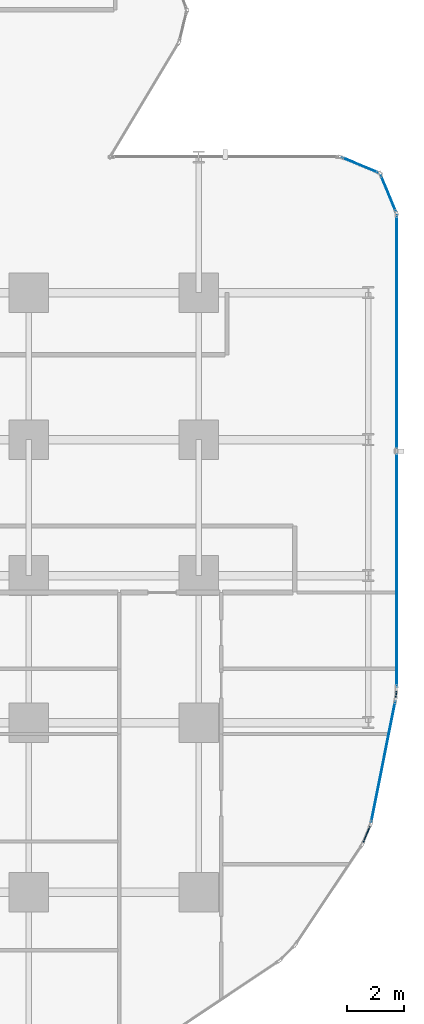
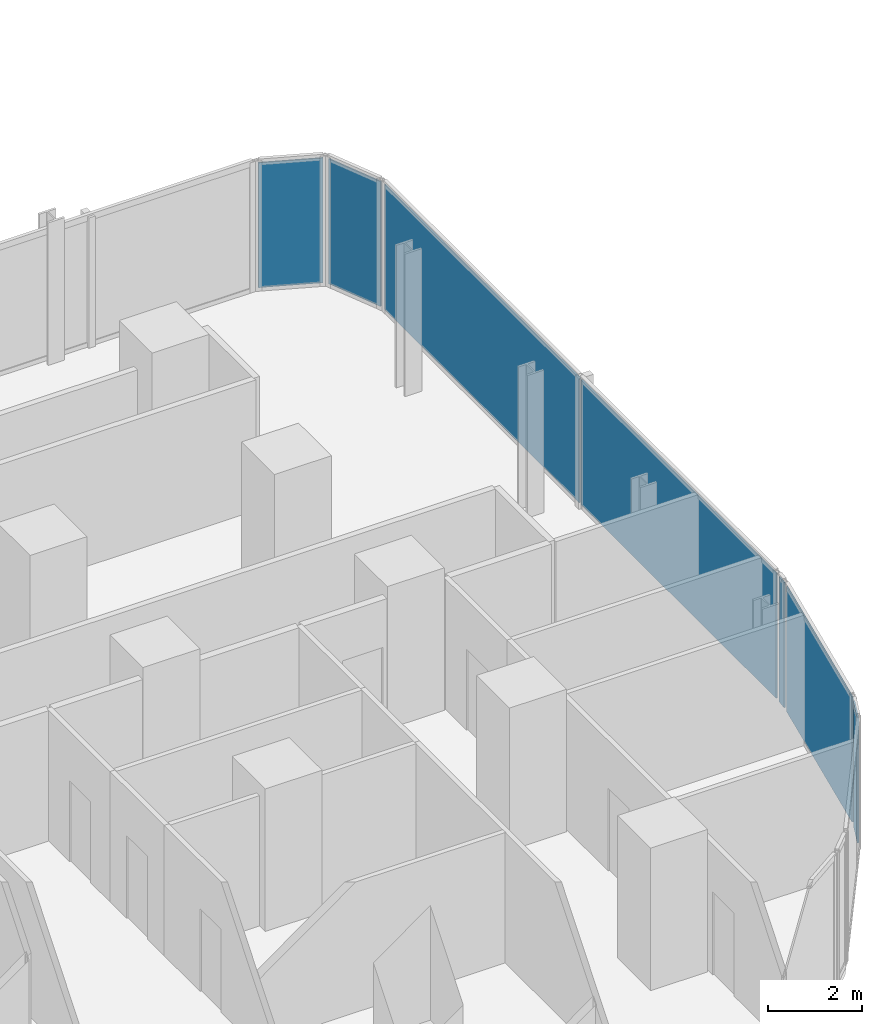
# One storey, part 25 of 34: 7 plates, 6 elements without a shape of their own.
"""IFC4 building model written with IfcOpenShell, lengths in metres."""

from ifc_helpers import new_model, si_unit, direction, frame, origin, origin_2d, place, context, subcontext, project, spatial, rectangle, extrude, material, layer, layer_set, type_object, element, aggregate, save


model = new_model("IFC4")

# Units and contexts
model_context = context("Model", 3, precision=1e-05, world=origin(), true_north=direction((0.0, 1.0)))
body_context = subcontext(model_context, "Body", "Model", "MODEL_VIEW")
ifc_project = project(units=[si_unit("LENGTHUNIT", "METRE"), si_unit("AREAUNIT", "SQUARE_METRE"), si_unit("VOLUMEUNIT", "CUBIC_METRE"), si_unit("PLANEANGLEUNIT", "RADIAN"), si_unit("MASSUNIT", "GRAM", prefix="KILO")], contexts=[model_context])

# Site, building, storey
site_placement = place(None, origin())
site = spatial("IfcSite", under=ifc_project, at=site_placement, CompositionType="ELEMENT")
building_placement = place(site_placement, origin())
building = spatial("IfcBuilding", under=site, at=building_placement, Name="Keshet Zoharim Tower", CompositionType="ELEMENT")
storey_placement = place(building_placement, frame((0.0, 0.0, 31.39990234375)))
storey = spatial("IfcBuildingStorey", under=building, at=storey_placement, Name="L06", CompositionType="ELEMENT", Elevation=31.39990234375)

# Curtain wall, plate
ifc_material_1 = material(Name="Aluminium 6063-T6", Category="aluminium")
ifc_layer_1 = layer(ifc_material_1, 0.179931640625)
ifc_layer_set_1 = layer_set([ifc_layer_1], Name="Aluminium 6063-T6")
curtain_wall_type_1 = type_object("IfcCurtainWallType", Name="CW-SYS-01", PredefinedType="NOTDEFINED", material=ifc_layer_set_1)
curtain_wall_1_placement = place(storey_placement, origin())
curtain_wall_1 = element("IfcCurtainWall", 1, at=curtain_wall_1_placement, inside=storey, type_object=curtain_wall_type_1, Name="L06 Unitised Curtain Wall 19", PredefinedType="NOTDEFINED")
ifc_material_2 = material(Name="Insulated Low-E Clear Glass", Category="glass")
ifc_layer_2 = layer(ifc_material_2, 0.035888671875)
ifc_layer_set_2 = layer_set([ifc_layer_2], Name="Insulated Low-E Clear Glass")
plate_type_1 = type_object("IfcPlateType", Name="CWP-01", PredefinedType="CURTAIN_PANEL", material=ifc_layer_set_2)
plate_1_placement = place(storey_placement, frame((68.9384765625, 8.75439453125, 0.070068359375), z_axis=(0.0, 0.0, 1.0), x_axis=(-0.383068349739, -0.923720000557, 0.0)))
plate_1 = element("IfcPlate", 2, at=plate_1_placement, type_object=plate_type_1, Name="CW-01 panel 1.1", PredefinedType="CURTAIN_PANEL", context=body_context, shape_type="SweptSolid", body=[
    extrude(rectangle(XDim=0.640625, YDim=0.035888671875, at=origin_2d()), origin(), (0.0, 0.0, 1.0), 3.2451171875),
])
aggregate(curtain_wall_1, [plate_1])

ifc_layer_3 = layer(ifc_material_1, 0.169921875)
ifc_layer_set_3 = layer_set([ifc_layer_3], Name="Aluminium 6063-T6")
curtain_wall_type_2 = type_object("IfcCurtainWallType", Name="CW-SYS-02", PredefinedType="NOTDEFINED", material=ifc_layer_set_3)
curtain_wall_2_placement = place(storey_placement, origin())
curtain_wall_2 = element("IfcCurtainWall", 3, at=curtain_wall_2_placement, inside=storey, type_object=curtain_wall_type_2, Name="L06 Unitised Curtain Wall 14", PredefinedType="NOTDEFINED")
ifc_layer_4 = layer(ifc_material_2, 0.031982421875)
ifc_layer_set_4 = layer_set([ifc_layer_4], Name="Insulated Low-E Clear Glass")
plate_type_2 = type_object("IfcPlateType", Name="CWP-02", PredefinedType="CURTAIN_PANEL", material=ifc_layer_set_4)
plate_2_placement = place(storey_placement, frame((68.70703125, 32.406982421875, 0.070068359375), z_axis=(0.0, 0.0, 1.0), x_axis=(0.92380975372, -0.382851849847, 0.0)))
plate_2 = element("IfcPlate", 4, at=plate_2_placement, type_object=plate_type_2, Name="CW-02 panel 1.1", PredefinedType="CURTAIN_PANEL", context=body_context, shape_type="SweptSolid", body=[
    extrude(rectangle(XDim=1.390625, YDim=0.031982421875, at=origin_2d()), origin(), (0.0, 0.0, 1.0), 3.2451171875),
])
aggregate(curtain_wall_2, [plate_2])

curtain_wall_3_placement = place(storey_placement, origin())
curtain_wall_3 = element("IfcCurtainWall", 5, at=curtain_wall_3_placement, inside=storey, type_object=curtain_wall_type_2, Name="L06 Unitised Curtain Wall 15", PredefinedType="NOTDEFINED")
plate_3_placement = place(storey_placement, frame((69.70703125, 31.406982421875, 0.070068359375), z_axis=(0.0, 0.0, 1.0), x_axis=(0.382851849847, -0.92380975372, 0.0)))
plate_3 = element("IfcPlate", 6, at=plate_3_placement, type_object=plate_type_2, Name="CW-02 panel 1.1", PredefinedType="CURTAIN_PANEL", context=body_context, shape_type="SweptSolid", body=[
    extrude(rectangle(XDim=1.390625, YDim=0.031982421875, at=origin_2d()), origin(), (0.0, 0.0, 1.0), 3.2451171875),
])
aggregate(curtain_wall_3, [plate_3])

# Curtain wall, plates
curtain_wall_4_placement = place(storey_placement, origin())
curtain_wall_4 = element("IfcCurtainWall", 7, at=curtain_wall_4_placement, inside=storey, type_object=curtain_wall_type_2, Name="L06 Unitised Curtain Wall 16", PredefinedType="NOTDEFINED")
plate_4_placement = place(storey_placement, frame((70.0, 26.481689453125, 0.070068359375), z_axis=(0.0, 0.0, 1.0), x_axis=(0.0, -1.0, 0.0)))
plate_4 = element("IfcPlate", 8, at=plate_4_placement, type_object=plate_type_2, Name="CW-02 panel 1.1", PredefinedType="CURTAIN_PANEL", context=body_context, shape_type="SweptSolid", body=[
    extrude(rectangle(XDim=8.29638671875, YDim=0.031982421875, at=origin_2d()), origin(), (0.0, 0.0, 1.0), 3.2451171875),
])
plate_5_placement = place(storey_placement, frame((70.0, 18.115234375, 0.070068359375), z_axis=(0.0, 0.0, 1.0), x_axis=(0.0, -1.0, 0.0)))
plate_5 = element("IfcPlate", 9, at=plate_5_placement, type_object=plate_type_2, Name="CW-02 panel 2.1", PredefinedType="CURTAIN_PANEL", context=body_context, shape_type="SweptSolid", body=[
    extrude(rectangle(XDim=8.29638671875, YDim=0.031982421875, at=origin_2d()), origin(), (0.0, 0.0, 1.0), 3.2451171875),
])
aggregate(curtain_wall_4, [plate_4, plate_5])

# Curtain wall, plate
curtain_wall_5_placement = place(storey_placement, origin())
curtain_wall_5 = element("IfcCurtainWall", 10, at=curtain_wall_5_placement, inside=storey, type_object=curtain_wall_type_2, Name="L06 Unitised Curtain Wall 17", PredefinedType="NOTDEFINED")
plate_6_placement = place(storey_placement, frame((69.98095703125, 13.701904296875, 0.070068359375), z_axis=(0.0, 0.0, 1.0), x_axis=(-0.096976648633, -0.995286657009, 0.0)))
plate_6 = element("IfcPlate", 11, at=plate_6_placement, type_object=plate_type_2, Name="CW-02 panel 1.1", PredefinedType="CURTAIN_PANEL", context=body_context, shape_type="SweptSolid", body=[
    extrude(rectangle(XDim=0.251953125, YDim=0.031982421875, at=origin_2d()), origin(), (0.0, 0.0, 1.0), 3.2451171875),
])
aggregate(curtain_wall_5, [plate_6])

curtain_wall_6_placement = place(storey_placement, origin())
curtain_wall_6 = element("IfcCurtainWall", 12, at=curtain_wall_6_placement, inside=storey, type_object=curtain_wall_type_2, Name="L06 Unitised Curtain Wall 18", PredefinedType="NOTDEFINED")
plate_7_placement = place(storey_placement, frame((69.52490234375, 11.31103515625, 0.070068359375), z_axis=(0.0, 0.0, 1.0), x_axis=(-0.195171279072, -0.98076917357, 0.0)))
plate_7 = element("IfcPlate", 13, at=plate_7_placement, type_object=plate_type_2, Name="CW-02 panel 1.1", PredefinedType="CURTAIN_PANEL", context=body_context, shape_type="SweptSolid", body=[
    extrude(rectangle(XDim=4.338134765625, YDim=0.031982421875, at=origin_2d()), origin(), (0.0, 0.0, 1.0), 3.2451171875),
])
aggregate(curtain_wall_6, [plate_7])

save(model, "model.ifc")
